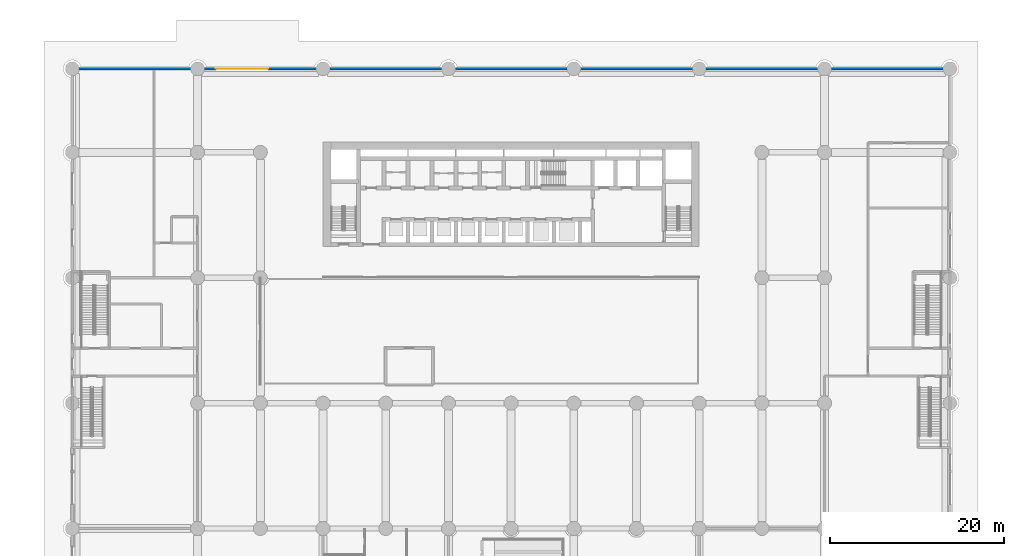
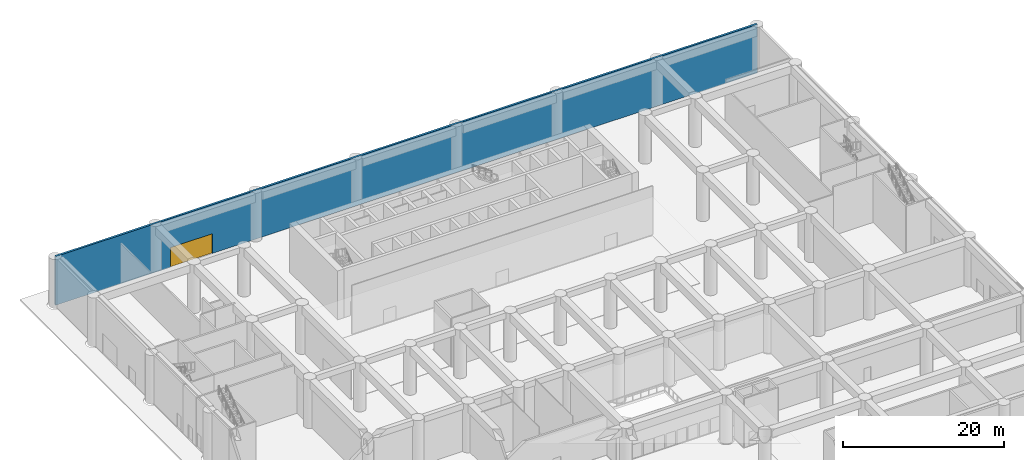
# One storey, part 19 of 32: 1 door, 1 wall, 1 opening.
"""IFC4 building model written with IfcOpenShell, lengths in metres."""

from ifc_helpers import new_model, si_unit, direction, frame, frame_2d, origin, place, context, subcontext, project, spatial, rectangle, extrude, material, layer, layer_set, type_object, element, fill, save


model = new_model("IFC4")

# Units and contexts
model_context = context("Model", 3, precision=1e-05, world=origin(), true_north=direction((0.0, 1.0)))
body_context = subcontext(model_context, "Body", "Model", "MODEL_VIEW")
ifc_project = project(units=[si_unit("LENGTHUNIT", "METRE"), si_unit("AREAUNIT", "SQUARE_METRE"), si_unit("VOLUMEUNIT", "CUBIC_METRE"), si_unit("PLANEANGLEUNIT", "RADIAN"), si_unit("MASSUNIT", "GRAM", prefix="KILO")], contexts=[model_context])

# Site, building, storey
site_placement = place(None, origin())
site = spatial("IfcSite", under=ifc_project, at=site_placement, CompositionType="ELEMENT")
building_placement = place(site_placement, origin())
building = spatial("IfcBuilding", under=site, at=building_placement, Name="Saffron Iwan Residences", CompositionType="ELEMENT")
storey_placement = place(building_placement, origin())
storey = spatial("IfcBuildingStorey", under=building, at=storey_placement, Name="L00", CompositionType="ELEMENT", Elevation=0.0)

# Wall, opening, door
ifc_material_1 = material(Name="Precast concrete C40/50", Category="concrete")
ifc_layer = layer(ifc_material_1, 0.300048828125)
ifc_layer_set = layer_set([ifc_layer], Name="Precast concrete C40/50")
wall_type = type_object("IfcWallType", Name="Podium external wall 300", PredefinedType="SOLIDWALL", material=ifc_layer_set)
wall_placement = place(storey_placement, frame((0.0, 86.39990234375, 0.0), z_axis=(0.0, 0.0, 1.0), x_axis=(1.0, 0.0, 0.0)))
wall = element("IfcWall", 1, at=wall_placement, inside=storey, type_object=wall_type, Name="W-L00-043", PredefinedType="SOLIDWALL", context=body_context, shape_type="SweptSolid", body=[
    extrude(rectangle(XDim=100.800048828125, YDim=0.300048828125, at=frame_2d((50.39990234375, 0.0))), origin(), (0.0, 0.0, 1.0), 7.39990234375),
])
opening_placement = place(wall_placement, frame((16.5, 0.0, 0.0)))
opening = element("IfcOpeningElement", 2, at=opening_placement, cuts=wall, Name="Opening L00.64", PredefinedType="OPENING", context=body_context, shape_type="SweptSolid", body=[
    extrude(rectangle(XDim=6.0, YDim=3.0, at=frame_2d((3.0, 1.5))), frame((0.0, 0.16015625, 0.0), z_axis=(0.0, -1.0, 0.0), x_axis=(1.0, 0.0, 0.0)), (0.0, 0.0, 1.0), 0.320068359375),
])
ifc_material_2 = material(Name="Steel", Category="steel")
door_type = type_object("IfcDoorType", Name="Vehicle gate 6000", OperationType="DOUBLE_DOOR_SINGLE_SWING", PredefinedType="GATE", material=ifc_material_2)
door_placement = place(opening_placement, origin())
door = element("IfcDoor", 3, at=door_placement, inside=storey, type_object=door_type, Name="D-L00-064", OperationType="DOUBLE_DOOR_SINGLE_SWING", OverallHeight=3.0, OverallWidth=6.0, PredefinedType="GATE", context=body_context, shape_type="SweptSolid", body=[
    extrude(rectangle(XDim=6.0, YDim=3.0, at=frame_2d((3.0, 1.5))), frame((0.0, 0.02490234375, 0.0), z_axis=(0.0, -1.0, 0.0), x_axis=(1.0, 0.0, 0.0)), (0.0, 0.0, 1.0), 0.050048828125),
])
fill(opening, door)

save(model, "model.ifc")
